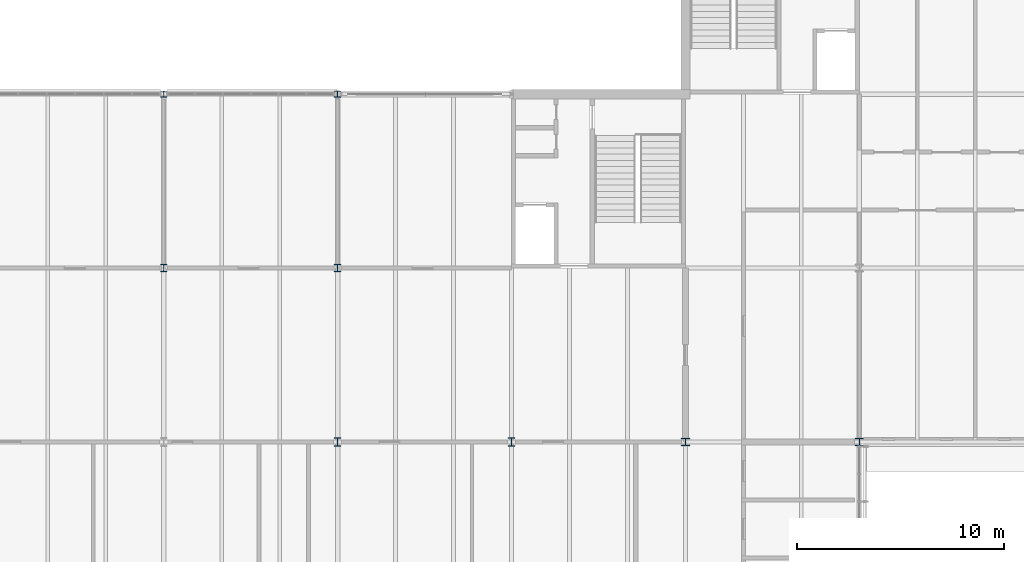
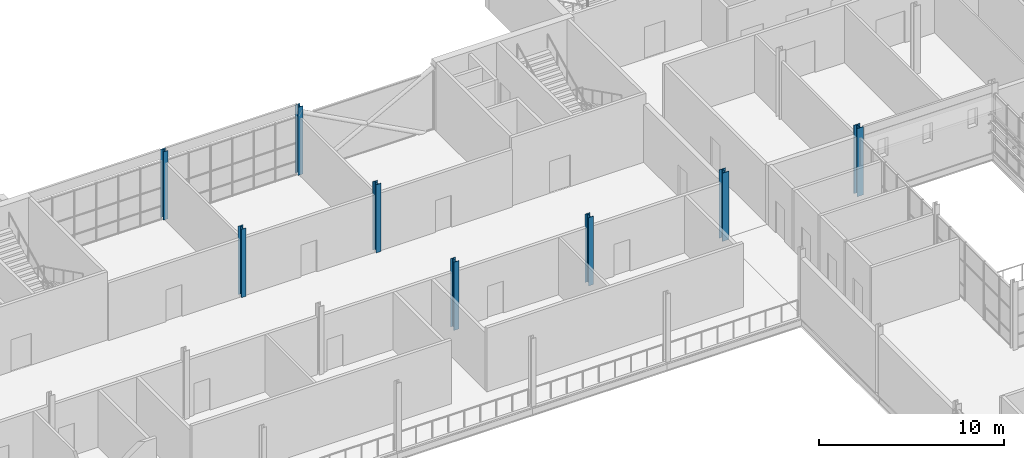
# One storey, part 9 of 129: 8 columns.
"""IFC4 building model written with IfcOpenShell, lengths in metres."""

from ifc_helpers import new_model, si_unit, direction, frame, origin, origin_2d, place, context, subcontext, project, spatial, i_section, extrude, material, material_profile, profile_set, type_object, element, save


model = new_model("IFC4")

# Units and contexts
model_context = context("Model", 3, precision=1e-05, world=origin(), true_north=direction((0.0, 1.0)))
body_context = subcontext(model_context, "Body", "Model", "MODEL_VIEW")
ifc_project = project(units=[si_unit("LENGTHUNIT", "METRE"), si_unit("AREAUNIT", "SQUARE_METRE"), si_unit("VOLUMEUNIT", "CUBIC_METRE"), si_unit("PLANEANGLEUNIT", "RADIAN"), si_unit("MASSUNIT", "GRAM", prefix="KILO")], contexts=[model_context])

# Site, building, storey
site_placement = place(None, origin())
site = spatial("IfcSite", under=ifc_project, at=site_placement, CompositionType="ELEMENT")
building_placement = place(site_placement, origin())
building = spatial("IfcBuilding", under=site, at=building_placement, Name="Ardhachandra Cancer Care Centre", CompositionType="ELEMENT")
storey_placement = place(building_placement, frame((0.0, 0.0, 4.5)))
storey = spatial("IfcBuildingStorey", under=building, at=storey_placement, Name="L01", CompositionType="ELEMENT", Elevation=4.5)

# Columns
ifc_material_1 = material(Name="Steel E350 (IS 2062)", Category="steel")
ifc_material_profile_1 = material_profile(ifc_material_1, i_section(OverallWidth=0.300048828125, OverallDepth=0.300048828125, WebThickness=0.010986328125, FlangeThickness=0.01904296875, FilletRadius=0.027099609375, at=origin_2d()), Name="WPB 300x300x117.03")
ifc_profile_set_1 = profile_set([ifc_material_profile_1], Name="Steel E350 (IS 2062)")
column_type_1 = type_object("IfcColumnType", Name="Column WPB 300x300x117.03", PredefinedType="COLUMN", material=ifc_profile_set_1)
for number, where, z_axis, x_axis, name in (
    (1, (86.39990234375, 96.60009765625, 0.0), (0.0, 0.0, 1.0), (1.0, 0.0, 0.0), "Column L10 L01"),
    (2, (94.800048828125, 96.60009765625, 0.0), (0.0, 0.0, 1.0), (1.0, 0.0, 0.0), "Column L11 L01"),
):
    element("IfcColumn", number, at=place(storey_placement, frame(where, z_axis=z_axis, x_axis=x_axis)), inside=storey, type_object=column_type_1, Name=name, PredefinedType="COLUMN", context=body_context, shape_type="SweptSolid", body=[
        extrude(i_section(OverallWidth=0.300048828125, OverallDepth=0.300048828125, WebThickness=0.010986328125, FlangeThickness=0.01904296875, FilletRadius=0.027099609375, at=origin_2d()), origin(), (0.0, 0.0, 1.0), 4.5),
    ])
ifc_material_2 = material(Name="Steel E350 (IS 2062)", Category="steel")
ifc_material_profile_2 = material_profile(ifc_material_2, i_section(OverallWidth=0.300048828125, OverallDepth=0.360107421875, WebThickness=0.012451171875, FlangeThickness=0.0224609375, FilletRadius=0.027099609375, at=origin_2d()), Name="WPB 360x300x141.80")
ifc_profile_set_2 = profile_set([ifc_material_profile_2], Name="Steel E350 (IS 2062)")
column_type_2 = type_object("IfcColumnType", Name="Column WPB 360x300x141.80", PredefinedType="COLUMN", material=ifc_profile_set_2)
for number, where, z_axis, x_axis, name in (
    (3, (86.39990234375, 88.199951171875, 0.0), (0.0, 0.0, 1.0), (1.0, 0.0, 0.0), "Column K10 L01"),
    (4, (94.800048828125, 88.199951171875, 0.0), (0.0, 0.0, 1.0), (1.0, 0.0, 0.0), "Column K11 L01"),
):
    element("IfcColumn", number, at=place(storey_placement, frame(where, z_axis=z_axis, x_axis=x_axis)), inside=storey, type_object=column_type_2, Name=name, PredefinedType="COLUMN", context=body_context, shape_type="SweptSolid", body=[
        extrude(i_section(OverallWidth=0.300048828125, OverallDepth=0.360107421875, WebThickness=0.012451171875, FlangeThickness=0.0224609375, FilletRadius=0.027099609375, at=origin_2d()), origin(), (0.0, 0.0, 1.0), 4.5),
    ])
ifc_material_3 = material(Name="Steel E350 (IS 2062)", Category="steel")
ifc_material_profile_3 = material_profile(ifc_material_3, i_section(OverallWidth=0.300048828125, OverallDepth=0.39990234375, WebThickness=0.013427734375, FlangeThickness=0.02392578125, FilletRadius=0.027099609375, at=origin_2d()), Name="WPB 400x300x155.26")
ifc_profile_set_3 = profile_set([ifc_material_profile_3], Name="Steel E350 (IS 2062)")
column_type_3 = type_object("IfcColumnType", Name="Column WPB 400x300x155.26", PredefinedType="COLUMN", material=ifc_profile_set_3)
for number, where, z_axis, x_axis, name in (
    (5, (94.800048828125, 79.800048828125, 0.0), (0.0, 0.0, 1.0), (1.0, 0.0, 0.0), "Column J11 L01"),
    (6, (103.199951171875, 79.800048828125, 0.0), (0.0, 0.0, 1.0), (1.0, 0.0, 0.0), "Column J12 L01"),
):
    element("IfcColumn", number, at=place(storey_placement, frame(where, z_axis=z_axis, x_axis=x_axis)), inside=storey, type_object=column_type_3, Name=name, PredefinedType="COLUMN", context=body_context, shape_type="SweptSolid", body=[
        extrude(i_section(OverallWidth=0.300048828125, OverallDepth=0.39990234375, WebThickness=0.013427734375, FlangeThickness=0.02392578125, FilletRadius=0.027099609375, at=origin_2d()), origin(), (0.0, 0.0, 1.0), 4.5),
    ])
ifc_material_4 = material(Name="Steel E350 (IS 2062)", Category="steel")
ifc_material_profile_4 = material_profile(ifc_material_4, i_section(OverallWidth=0.39501953125, OverallDepth=0.3798828125, WebThickness=0.018798828125, FlangeThickness=0.0302734375, FilletRadius=0.027099609375, at=origin_2d()), Name="WPB 400x400x239.62")
ifc_profile_set_4 = profile_set([ifc_material_profile_4], Name="Steel E350 (IS 2062)")
column_type_4 = type_object("IfcColumnType", Name="Column WPB 400x400x239.62", PredefinedType="COLUMN", material=ifc_profile_set_4)
for number, where, z_axis, x_axis, name in (
    (7, (111.60009765625, 79.800048828125, 0.0), (0.0, 0.0, 1.0), (1.0, 0.0, 0.0), "Column J13 L01"),
    (8, (120.0, 79.800048828125, 0.0), (0.0, 0.0, 1.0), (1.0, 0.0, 0.0), "Column J14 L01"),
):
    element("IfcColumn", number, at=place(storey_placement, frame(where, z_axis=z_axis, x_axis=x_axis)), inside=storey, type_object=column_type_4, Name=name, PredefinedType="COLUMN", context=body_context, shape_type="SweptSolid", body=[
        extrude(i_section(OverallWidth=0.39501953125, OverallDepth=0.3798828125, WebThickness=0.018798828125, FlangeThickness=0.0302734375, FilletRadius=0.027099609375, at=origin_2d()), origin(), (0.0, 0.0, 1.0), 4.5),
    ])

save(model, "model.ifc")
